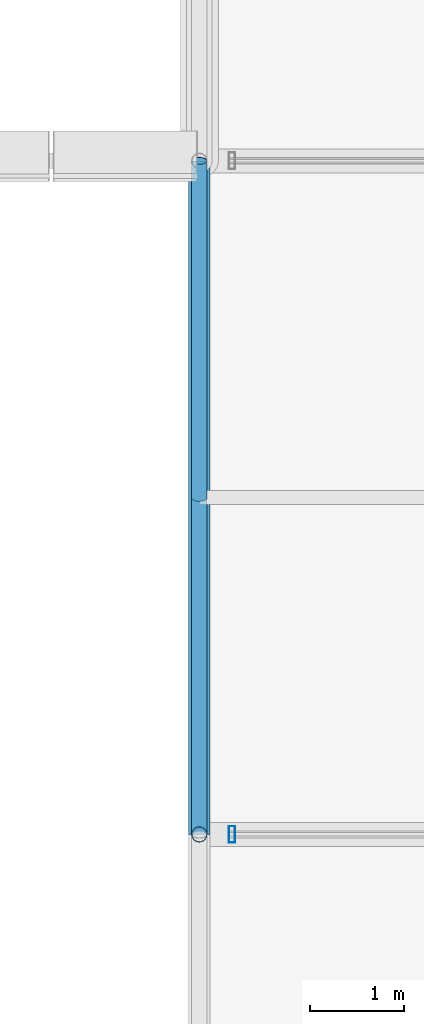
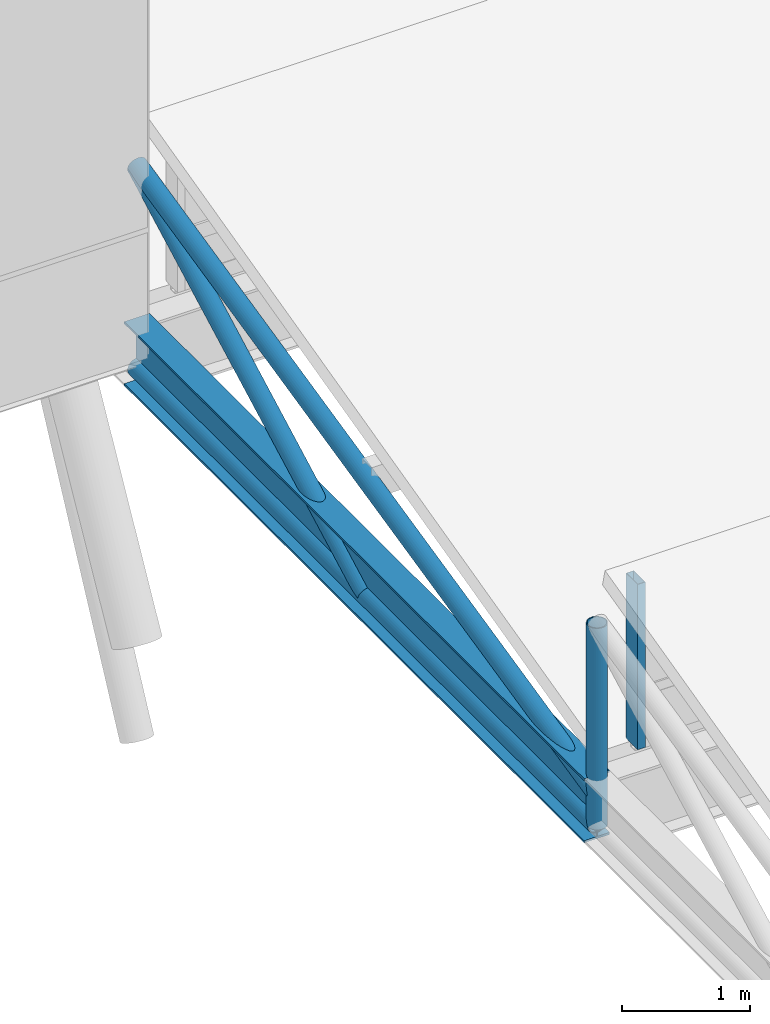
# One storey, part 26 of 144: 5 members, 1 beam, 1 element without a shape of its own.
"""IFC4 building model written with IfcOpenShell, lengths in metres."""

from ifc_helpers import new_model, si_unit, direction, frame, origin, origin_2d, place, context, subcontext, project, spatial, hollow_rectangle, hollow_circle, i_section, extrude, material, material_profile, profile_set, type_object, element, aggregate, save


model = new_model("IFC4")

# Units and contexts
model_context = context("Model", 3, precision=1e-05, world=origin(), true_north=direction((0.0, 1.0)))
body_context = subcontext(model_context, "Body", "Model", "MODEL_VIEW")
ifc_project = project(units=[si_unit("LENGTHUNIT", "METRE"), si_unit("AREAUNIT", "SQUARE_METRE"), si_unit("VOLUMEUNIT", "CUBIC_METRE"), si_unit("PLANEANGLEUNIT", "RADIAN"), si_unit("MASSUNIT", "GRAM", prefix="KILO")], contexts=[model_context])

# Site, building, storey
site_placement = place(None, origin())
site = spatial("IfcSite", under=ifc_project, at=site_placement, CompositionType="ELEMENT")
building_placement = place(site_placement, origin())
building = spatial("IfcBuilding", under=site, at=building_placement, Name="Yarey Park Central Fire Station", CompositionType="ELEMENT")
storey_placement = place(building_placement, frame((0.0, 0.0, 10.199951171875)))
storey = spatial("IfcBuildingStorey", under=building, at=storey_placement, Name="L03", CompositionType="ELEMENT", Elevation=10.199951171875)

# Curtain wall, member
ifc_material_1 = material(Name="Anodized Aluminium Frame", Category="aluminium")
curtain_wall_type = type_object("IfcCurtainWallType", Name="ENV_CW_SAW_18", PredefinedType="NOTDEFINED", material=ifc_material_1)
curtain_wall_placement = place(storey_placement, origin())
curtain_wall = element("IfcCurtainWall", 1, at=curtain_wall_placement, inside=storey, type_object=curtain_wall_type, Name="CW_L03_SAW_1_1", PredefinedType="NOTDEFINED")
ifc_material_profile_1 = material_profile(ifc_material_1, hollow_rectangle(XDim=0.070068359375, YDim=0.179931640625, WallThickness=0.00390625, at=origin_2d()), Name="ALU 180x70x4")
ifc_profile_set_1 = profile_set([ifc_material_profile_1], Name="Anodized Aluminium Frame")
member_type_1 = type_object("IfcMemberType", Name="ENV_CW_MULLION", PredefinedType="MULLION", material=ifc_profile_set_1)
member_1_placement = place(storey_placement, frame((137.14990234375, 50.39990234375, 0.0), z_axis=(0.0, 0.0, 1.0), x_axis=(1.0, 0.0, 0.0)))
member_1 = element("IfcMember", 2, at=member_1_placement, type_object=member_type_1, Name="CW_L03_SAW_1_1_MUL5", PredefinedType="MULLION", context=body_context, shape_type="SweptSolid", body=[
    extrude(hollow_rectangle(XDim=0.070068359375, YDim=0.179931640625, WallThickness=0.00390625, at=origin_2d()), origin(), (0.0, 0.0, 1.0), 1.580078125),
])
aggregate(curtain_wall, [member_1])

# Beam
ifc_material_2 = material(Name="Steel ASTM A992 Gr. 50", Category="steel")
ifc_material_profile_2 = material_profile(ifc_material_2, i_section(OverallWidth=0.22900390625, OverallDepth=0.612060546875, WebThickness=0.011962890625, FlangeThickness=0.01953125, at=origin_2d()), Name="W610x125")
ifc_profile_set_2 = profile_set([ifc_material_profile_2], Name="Steel ASTM A992 Gr. 50")
beam_type = type_object("IfcBeamType", Name="STR_BM_W610", PredefinedType="BEAM", material=ifc_profile_set_2)
beam_placement = place(storey_placement, frame((136.800048828125, 50.39990234375, -0.48583984375), z_axis=(0.0, 1.0, 0.0), x_axis=(-1.0, 0.0, 0.0)))
element("IfcBeam", 3, at=beam_placement, inside=storey, type_object=beam_type, Name="BMY L03 X1368 Y504", PredefinedType="BEAM", context=body_context, shape_type="SweptSolid", body=[
    extrude(i_section(OverallWidth=0.22900390625, OverallDepth=0.612060546875, WebThickness=0.011962890625, FlangeThickness=0.01953125, at=origin_2d()), origin(), (0.0, 0.0, 1.0), 7.2001953125),
])

# Members
ifc_material_3 = material(Name="Steel ASTM A500 Gr. C", Category="steel")
ifc_material_profile_3 = material_profile(ifc_material_3, hollow_circle(Radius=0.084228515625, WallThickness=0.008056640625, at=origin_2d()), Name="CHS 168.3x8")
ifc_profile_set_3 = profile_set([ifc_material_profile_3], Name="Steel ASTM A500 Gr. C")
member_type_2 = type_object("IfcMemberType", Name="STR_CHORD_CHS168", PredefinedType="CHORD", material=ifc_profile_set_3)
member_2_placement = place(storey_placement, frame((136.800048828125, 50.39990234375, -0.64990234375), z_axis=(0.0, 1.0, 0.0), x_axis=(-1.0, 0.0, 0.0)))
element("IfcMember", 4, at=member_2_placement, inside=storey, type_object=member_type_2, Name="SAW_T1_B2_BC", PredefinedType="CHORD", context=body_context, shape_type="SweptSolid", body=[
    extrude(hollow_circle(Radius=0.084228515625, WallThickness=0.008056640625, at=origin_2d()), origin(), (0.0, 0.0, 1.0), 7.2001953125),
])
member_3_placement = place(storey_placement, frame((136.800048828125, 50.39990234375, -0.349853515625), z_axis=(0.0, 0.975465753488, 0.220151229324), x_axis=(-1.0, 0.0, 0.0)))
element("IfcMember", 5, at=member_3_placement, inside=storey, type_object=member_type_2, Name="SAW_T1_B2_TC", PredefinedType="CHORD", context=body_context, shape_type="SweptSolid", body=[
    extrude(hollow_circle(Radius=0.084228515625, WallThickness=0.008056640625, at=origin_2d()), origin(), (0.0, 0.0, 1.0), 7.38134765625),
])
ifc_material_profile_4 = material_profile(ifc_material_3, hollow_circle(Radius=0.084228515625, WallThickness=0.008056640625, at=origin_2d()), Name="CHS 168.3x8")
ifc_profile_set_4 = profile_set([ifc_material_profile_4], Name="Steel ASTM A500 Gr. C")
member_type_3 = type_object("IfcMemberType", Name="STR_WEB_CHS168", PredefinedType="BRACE", material=ifc_profile_set_4)
member_4_placement = place(storey_placement, frame((136.800048828125, 50.39990234375, -0.64990234375), z_axis=(0.0, 0.0, 1.0), x_axis=(1.0, 0.0, 0.0)))
element("IfcMember", 6, at=member_4_placement, inside=storey, type_object=member_type_3, Name="SAW_T1_B1_VT", PredefinedType="BRACE", context=body_context, shape_type="SweptSolid", body=[
    extrude(hollow_circle(Radius=0.084228515625, WallThickness=0.008056640625, at=origin_2d()), origin(), (0.0, 0.0, 1.0), 1.925048828125),
])
member_5_placement = place(storey_placement, frame((136.800048828125, 54.0, -0.64990234375), z_axis=(0.0, 0.881844210833, 0.471540865483), x_axis=(-1.0, 0.0, 0.0)))
element("IfcMember", 7, at=member_5_placement, inside=storey, type_object=member_type_3, Name="SAW_T1_B2_DG", PredefinedType="BRACE", context=body_context, shape_type="SweptSolid", body=[
    extrude(hollow_circle(Radius=0.084228515625, WallThickness=0.008056640625, at=origin_2d()), origin(), (0.0, 0.0, 1.0), 4.08251953125),
])

save(model, "model.ifc")
